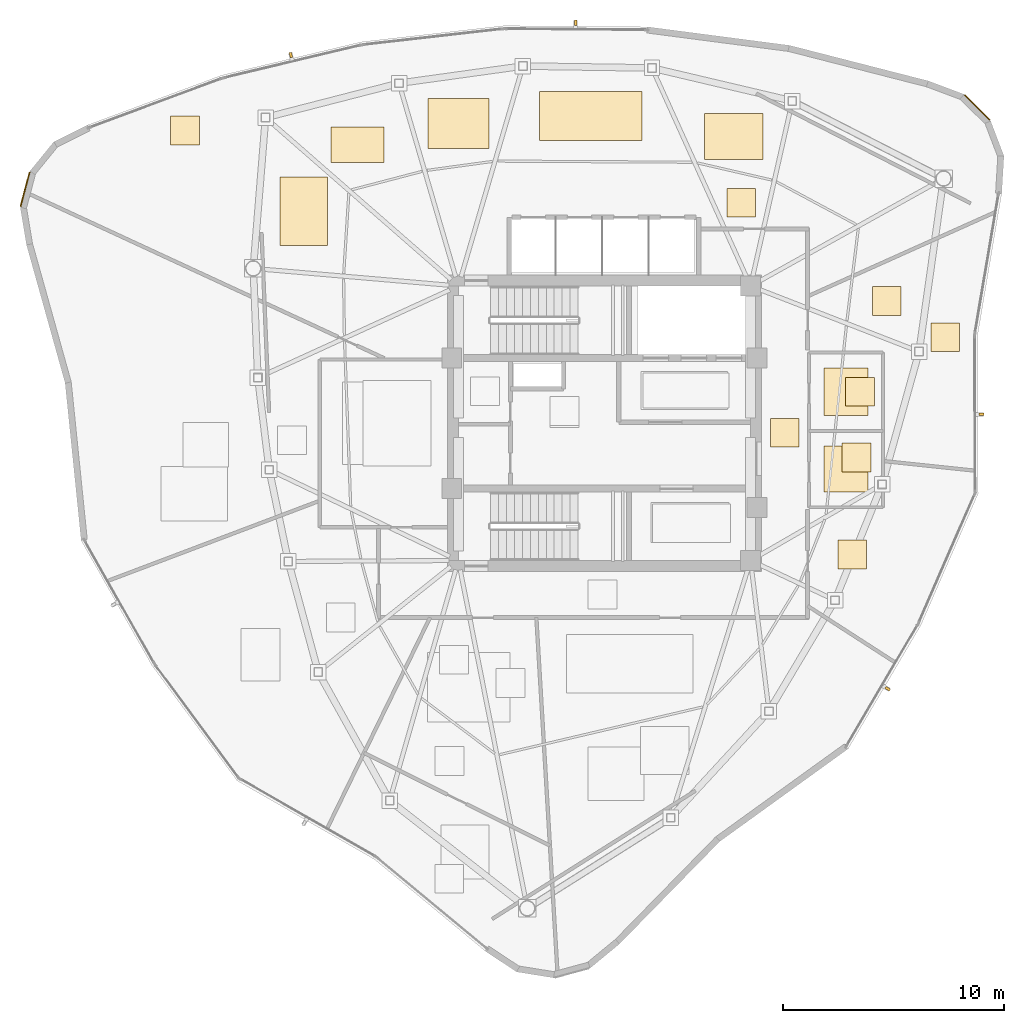
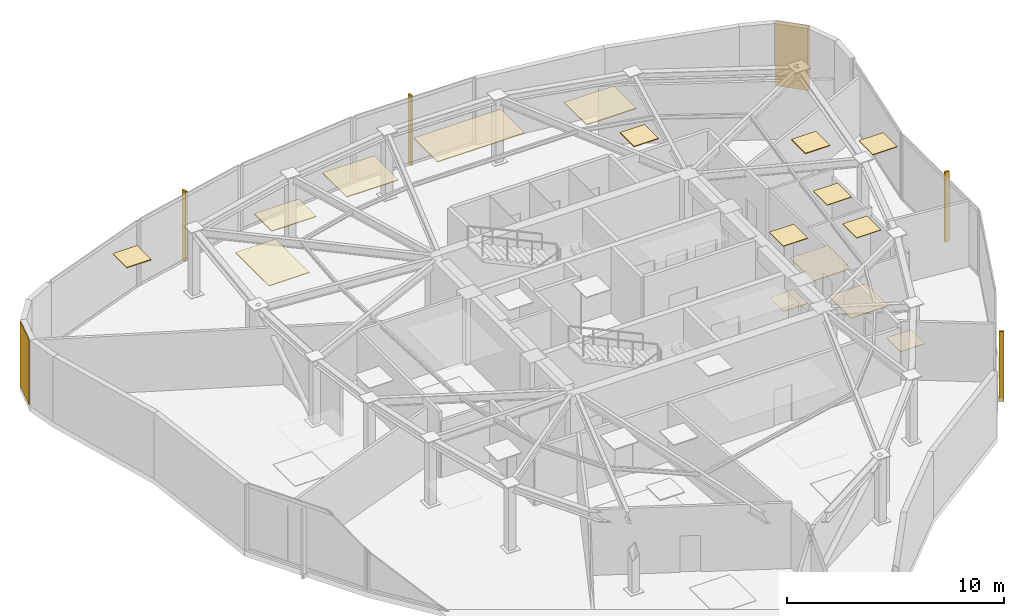
# One storey, part 11 of 11: 18 coverings, 4 shading devices.
"""IFC4 building model written with IfcOpenShell, lengths in metres."""

from ifc_helpers import new_model, si_unit, direction, frame, origin, origin_2d, place, context, subcontext, project, spatial, polyline, rectangle, outline, extrude, source, transform, mapped, material, layer, layer_set, type_object, type_shapes, element, save


model = new_model("IFC4")

# Units and contexts
model_context = context("Model", 3, precision=1e-05, world=origin(), true_north=direction((0.0, 1.0)))
body_context = subcontext(model_context, "Body", "Model", "MODEL_VIEW")
ifc_project = project(units=[si_unit("LENGTHUNIT", "METRE"), si_unit("AREAUNIT", "SQUARE_METRE"), si_unit("VOLUMEUNIT", "CUBIC_METRE"), si_unit("PLANEANGLEUNIT", "RADIAN"), si_unit("MASSUNIT", "GRAM", prefix="KILO")], contexts=[model_context])

# Site, building, storey
site_placement = place(None, origin())
site = spatial("IfcSite", under=ifc_project, at=site_placement, CompositionType="ELEMENT")
building_placement = place(site_placement, origin())
building = spatial("IfcBuilding", under=site, at=building_placement, Name="Tavelor Broadcast Tower", CompositionType="ELEMENT")
storey_placement = place(building_placement, frame((0.0, 0.0, 309.5)))
storey = spatial("IfcBuildingStorey", under=building, at=storey_placement, Name="L74", CompositionType="ELEMENT", Elevation=309.5)

# Coverings
ifc_material_1 = material(Name="Copper-Bronze Anodized Aluminium", Category="aluminium")
ifc_layer_1 = layer(ifc_material_1, 0.050048828125)
ifc_layer_set_1 = layer_set([ifc_layer_1], Name="Copper-Bronze Anodized Aluminium")
covering_type_1 = type_object("IfcCoveringType", Name="Champagne-Bronze Corner Pier Metal Cladding 50 mm", PredefinedType="CLADDING", material=ifc_layer_set_1)
for number, where, z_axis, x_axis, name in (
    (1, (23.825439453125, 55.568359375, 0.02001953125), (0.0, 0.0, 1.0), (-0.256289373133, -0.966600102017, 0.0), "L74 Champagne-Bronze Corner Cladding 03"),
    (2, (66.839599609375, 59.26611328125, 0.02001953125), (0.0, 0.0, 1.0), (-0.708955557081, 0.705253158862, 0.0), "L74 Champagne-Bronze Corner Cladding 23"),
):
    element("IfcCovering", number, at=place(storey_placement, frame(where, z_axis=z_axis, x_axis=x_axis)), inside=storey, type_object=covering_type_1, Name=name, PredefinedType="CLADDING", context=body_context, shape_type="SweptSolid", body=[
        extrude(rectangle(XDim=1.6025390625, YDim=0.050048828125, at=origin_2d()), origin(), (0.0, 0.0, 1.0), 3.659912109375),
    ])
ifc_material_2 = material(Name="Architectural Anodized Aluminium", Category="aluminium")
ifc_layer_2 = layer(ifc_material_2, 0.034912109375)
ifc_layer_set_2 = layer_set([ifc_layer_2], Name="Architectural Anodized Aluminium")
covering_type_2 = type_object("IfcCoveringType", Name="Demountable Metal Tile Corridor Ceiling 35 mm", PredefinedType="CEILING", material=ifc_layer_set_2)
covering_1_placement = place(storey_placement, frame((0.0, 0.0, 3.6650390625)))
element("IfcCovering", 3, at=covering_1_placement, inside=storey, type_object=covering_type_2, Name="L74 Suspended Acoustic Ceiling 2799", PredefinedType="CEILING", context=body_context, shape_type="SweptSolid", body=[
    extrude(outline(polyline([(57.489990234375, 43.925048828125), (58.7900390625, 43.925048828125), (58.7900390625, 45.22509765625), (57.489990234375, 45.22509765625), (57.489990234375, 43.925048828125)])), origin(), (0.0, 0.0, 1.0), 0.034912109375),
])
ifc_material_3 = material(Name="Acoustic Nylon Carpet Tile")
ifc_layer_3 = layer(ifc_material_3, 0.02001953125)
ifc_layer_set_3 = layer_set([ifc_layer_3], Name="Acoustic Nylon Carpet Tile")
covering_type_3 = type_object("IfcCoveringType", Name="Heavy-Duty Acoustic Broadcast Carpet Tile 20 mm", PredefinedType="FLOORING", material=ifc_layer_set_3)
covering_2_placement = place(storey_placement, origin())
element("IfcCovering", 4, at=covering_2_placement, inside=storey, type_object=covering_type_3, Name="L74 Broadcast Floor Finish 1102", PredefinedType="FLOORING", context=body_context, shape_type="SweptSolid", body=[
    extrude(outline(polyline([(57.489990234375, 43.925048828125), (58.7900390625, 43.925048828125), (58.7900390625, 45.22509765625), (57.489990234375, 45.22509765625), (57.489990234375, 43.925048828125)])), origin(), (0.0, 0.0, 1.0), 0.02001953125),
])
covering_3_placement = place(storey_placement, origin())
element("IfcCovering", 5, at=covering_3_placement, inside=storey, type_object=covering_type_3, Name="L74 Broadcast Floor Finish 1106", PredefinedType="FLOORING", context=body_context, shape_type="SweptSolid", body=[
    extrude(outline(polyline([(60.540283203125, 38.42041015625), (61.84033203125, 38.42041015625), (61.84033203125, 39.720458984375), (60.540283203125, 39.720458984375), (60.540283203125, 38.42041015625)])), origin(), (0.0, 0.0, 1.0), 0.02001953125),
])
ifc_layer_4 = layer(ifc_material_2, 0.030029296875)
ifc_layer_set_4 = layer_set([ifc_layer_4], Name="Architectural Anodized Aluminium")
covering_type_4 = type_object("IfcCoveringType", Name="Moisture-Resistant Washroom Ceiling 30 mm", PredefinedType="CEILING", material=ifc_layer_set_4)
covering_4_placement = place(storey_placement, frame((0.0, 0.0, 3.669921875)))
element("IfcCovering", 6, at=covering_4_placement, inside=storey, type_object=covering_type_4, Name="L74 Suspended Acoustic Ceiling 2802", PredefinedType="CEILING", context=body_context, shape_type="SweptSolid", body=[
    extrude(outline(polyline([(60.739013671875, 42.806884765625), (62.0390625, 42.806884765625), (62.0390625, 44.106689453125), (60.739013671875, 44.106689453125), (60.739013671875, 42.806884765625)])), origin(), (0.0, 0.0, 1.0), 0.030029296875),
])
covering_5_placement = place(storey_placement, frame((0.0, 0.0, 3.669921875)))
element("IfcCovering", 7, at=covering_5_placement, inside=storey, type_object=covering_type_4, Name="L74 Suspended Acoustic Ceiling 2803", PredefinedType="CEILING", context=body_context, shape_type="SweptSolid", body=[
    extrude(outline(polyline([(60.898681640625, 45.77490234375), (62.19873046875, 45.77490234375), (62.19873046875, 47.074951171875), (60.898681640625, 47.074951171875), (60.898681640625, 45.77490234375)])), origin(), (0.0, 0.0, 1.0), 0.030029296875),
])
ifc_material_4 = material(Name="Slip-Resistant Porcelain Tile")
ifc_layer_5 = layer(ifc_material_4, 0.02490234375)
ifc_layer_set_5 = layer_set([ifc_layer_5], Name="Slip-Resistant Porcelain Tile")
covering_type_5 = type_object("IfcCoveringType", Name="Slip-Resistant Porcelain Wet-Area Floor Tile 25 mm", PredefinedType="FLOORING", material=ifc_layer_set_5)
covering_6_placement = place(storey_placement, origin())
element("IfcCovering", 8, at=covering_6_placement, inside=storey, type_object=covering_type_5, Name="L74 Broadcast Floor Finish 1104", PredefinedType="FLOORING", context=body_context, shape_type="SweptSolid", body=[
    extrude(outline(polyline([(59.91064453125, 41.885986328125), (61.909423828125, 41.885986328125), (61.909423828125, 43.964111328125), (59.91064453125, 43.964111328125), (59.91064453125, 41.885986328125)])), origin(), (0.0, 0.0, 1.0), 0.02490234375),
])
covering_7_placement = place(storey_placement, origin())
element("IfcCovering", 9, at=covering_7_placement, inside=storey, type_object=covering_type_5, Name="L74 Broadcast Floor Finish 1105", PredefinedType="FLOORING", context=body_context, shape_type="SweptSolid", body=[
    extrude(outline(polyline([(59.91064453125, 45.35009765625), (61.909423828125, 45.35009765625), (61.909423828125, 47.5), (59.91064453125, 47.5), (59.91064453125, 45.35009765625)])), origin(), (0.0, 0.0, 1.0), 0.02490234375),
])
ifc_material_5 = material(Name="Acoustic Mineral Fibre Tile")
ifc_layer_6 = layer(ifc_material_5, 0.0400390625)
ifc_layer_set_6 = layer_set([ifc_layer_6], Name="Acoustic Mineral Fibre Tile")
covering_type_6 = type_object("IfcCoveringType", Name="Suspended Acoustic Mineral-Fibre Office Ceiling 40 mm", PredefinedType="CEILING", material=ifc_layer_set_6)
covering_8_placement = place(storey_placement, frame((0.0, 0.0, 3.659912109375)))
element("IfcCovering", 10, at=covering_8_placement, inside=storey, type_object=covering_type_6, Name="L74 Suspended Acoustic Ceiling 2804", PredefinedType="CEILING", context=body_context, shape_type="SweptSolid", body=[
    extrude(outline(polyline([(62.100830078125, 49.87451171875), (63.40087890625, 49.87451171875), (63.40087890625, 51.17431640625), (62.100830078125, 51.17431640625), (62.100830078125, 49.87451171875)])), origin(), (0.0, 0.0, 1.0), 0.0400390625),
])
covering_9_placement = place(storey_placement, frame((0.0, 0.0, 3.659912109375)))
element("IfcCovering", 11, at=covering_9_placement, inside=storey, type_object=covering_type_6, Name="L74 Suspended Acoustic Ceiling 2805", PredefinedType="CEILING", context=body_context, shape_type="SweptSolid", body=[
    extrude(outline(polyline([(64.745849609375, 48.233154296875), (66.0458984375, 48.233154296875), (66.0458984375, 49.533203125), (64.745849609375, 49.533203125), (64.745849609375, 48.233154296875)])), origin(), (0.0, 0.0, 1.0), 0.0400390625),
])
covering_10_placement = place(storey_placement, frame((0.0, 0.0, 3.659912109375)))
element("IfcCovering", 12, at=covering_10_placement, inside=storey, type_object=covering_type_6, Name="L74 Suspended Acoustic Ceiling 2813", PredefinedType="CEILING", context=body_context, shape_type="SweptSolid", body=[
    extrude(outline(polyline([(30.404296875, 57.573486328125), (31.704345703125, 57.573486328125), (31.704345703125, 58.87353515625), (30.404296875, 58.87353515625), (30.404296875, 57.573486328125)])), origin(), (0.0, 0.0, 1.0), 0.0400390625),
])
covering_11_placement = place(storey_placement, frame((0.0, 0.0, 3.659912109375)))
element("IfcCovering", 13, at=covering_11_placement, inside=storey, type_object=covering_type_6, Name="L74 Suspended Acoustic Ceiling 2814", PredefinedType="CEILING", context=body_context, shape_type="SweptSolid", body=[
    extrude(outline(polyline([(54.51318359375, 56.919189453125), (57.16796875, 56.919189453125), (57.16796875, 58.997314453125), (54.51318359375, 58.997314453125), (54.51318359375, 56.919189453125)])), origin(), (0.0, 0.0, 1.0), 0.0400390625),
])
covering_12_placement = place(storey_placement, frame((0.0, 0.0, 3.659912109375)))
element("IfcCovering", 14, at=covering_12_placement, inside=storey, type_object=covering_type_6, Name="L74 Suspended Acoustic Ceiling 2815", PredefinedType="CEILING", context=body_context, shape_type="SweptSolid", body=[
    extrude(outline(polyline([(55.5302734375, 54.3076171875), (56.830078125, 54.3076171875), (56.830078125, 55.607666015625), (55.5302734375, 55.607666015625), (55.5302734375, 54.3076171875)])), origin(), (0.0, 0.0, 1.0), 0.0400390625),
])
covering_13_placement = place(storey_placement, frame((0.0, 0.0, 3.659912109375)))
element("IfcCovering", 15, at=covering_13_placement, inside=storey, type_object=covering_type_6, Name="L74 Suspended Acoustic Ceiling 2816", PredefinedType="CEILING", context=body_context, shape_type="SweptSolid", body=[
    extrude(outline(polyline([(35.3466796875, 53.028564453125), (37.49853515625, 53.028564453125), (37.49853515625, 56.131103515625), (35.3466796875, 56.131103515625), (35.3466796875, 53.028564453125)])), origin(), (0.0, 0.0, 1.0), 0.0400390625),
])
covering_14_placement = place(storey_placement, frame((0.0, 0.0, 3.659912109375)))
element("IfcCovering", 16, at=covering_14_placement, inside=storey, type_object=covering_type_6, Name="L74 Suspended Acoustic Ceiling 2817", PredefinedType="CEILING", context=body_context, shape_type="SweptSolid", body=[
    extrude(outline(polyline([(37.655029296875, 56.7705078125), (40.044189453125, 56.7705078125), (40.044189453125, 58.3935546875), (37.655029296875, 58.3935546875), (37.655029296875, 56.7705078125)])), origin(), (0.0, 0.0, 1.0), 0.0400390625),
])
covering_15_placement = place(storey_placement, frame((0.0, 0.0, 3.659912109375)))
element("IfcCovering", 17, at=covering_15_placement, inside=storey, type_object=covering_type_6, Name="L74 Suspended Acoustic Ceiling 2818", PredefinedType="CEILING", context=body_context, shape_type="SweptSolid", body=[
    extrude(outline(polyline([(42.02392578125, 57.420166015625), (44.780517578125, 57.420166015625), (44.780517578125, 59.66748046875), (42.02392578125, 59.66748046875), (42.02392578125, 57.420166015625)])), origin(), (0.0, 0.0, 1.0), 0.0400390625),
])
covering_16_placement = place(storey_placement, frame((0.0, 0.0, 3.659912109375)))
element("IfcCovering", 18, at=covering_16_placement, inside=storey, type_object=covering_type_6, Name="L74 Suspended Acoustic Ceiling 2819", PredefinedType="CEILING", context=body_context, shape_type="SweptSolid", body=[
    extrude(outline(polyline([(47.069580078125, 57.77392578125), (51.702880859375, 57.77392578125), (51.702880859375, 59.9912109375), (47.069580078125, 59.9912109375), (47.069580078125, 57.77392578125)])), origin(), (0.0, 0.0, 1.0), 0.0400390625),
])

# Shading devices
ifc_material_6 = material(Name="Kiln-Fired Glazed Terracotta", Category="masonry")
shading_device_type = type_object("IfcShadingDeviceType", Name="Extruded Terracotta Baguette Sun-Screen 110x240", PredefinedType="JALOUSIE", material=ifc_material_6)
shared_shape = source(origin(), body_context, "Body", "SweptSolid", [
    extrude(rectangle(XDim=0.110107421875, YDim=0.239990234375, at=origin_2d()), origin(), (0.0, 0.0, 1.0), 3.93994140625),
])
type_shapes(shading_device_type, [shared_shape])
for number, where, z_axis, x_axis, name in (
    (19, (62.7939453125, 33.006103515625, -0.260009765625), (0.0, 0.0, 1.0), (0.50723756673, 0.861806272255, 0.0), "L74 Terracotta Baguette Fin 717"),
    (20, (67.03466796875, 45.404296875, -0.260009765625), (0.0, 0.0, 1.0), (-0.003141587486, 0.999995065202, 0.0), "L74 Terracotta Baguette Fin 718"),
    (21, (48.699951171875, 63.097412109375, -0.260009765625), (0.0, 0.0, 1.0), (-0.999964908278, 0.008377482415, 0.0), "L74 Terracotta Baguette Fin 719"),
    (22, (35.830810546875, 61.63671875, -0.260009765625), (0.0, 0.0, 1.0), (-0.97265440195, -0.232257215962, 0.0), "L74 Terracotta Baguette Fin 720"),
):
    element("IfcShadingDevice", number, at=place(storey_placement, frame(where, z_axis=z_axis, x_axis=x_axis)), inside=storey, type_object=shading_device_type, Name=name, PredefinedType="JALOUSIE", context=body_context, shape_type="MappedRepresentation", body=[
        mapped(shared_shape, transform((0.0, 0.0, 0.0), scale=1.0)),
    ])

save(model, "model.ifc")
